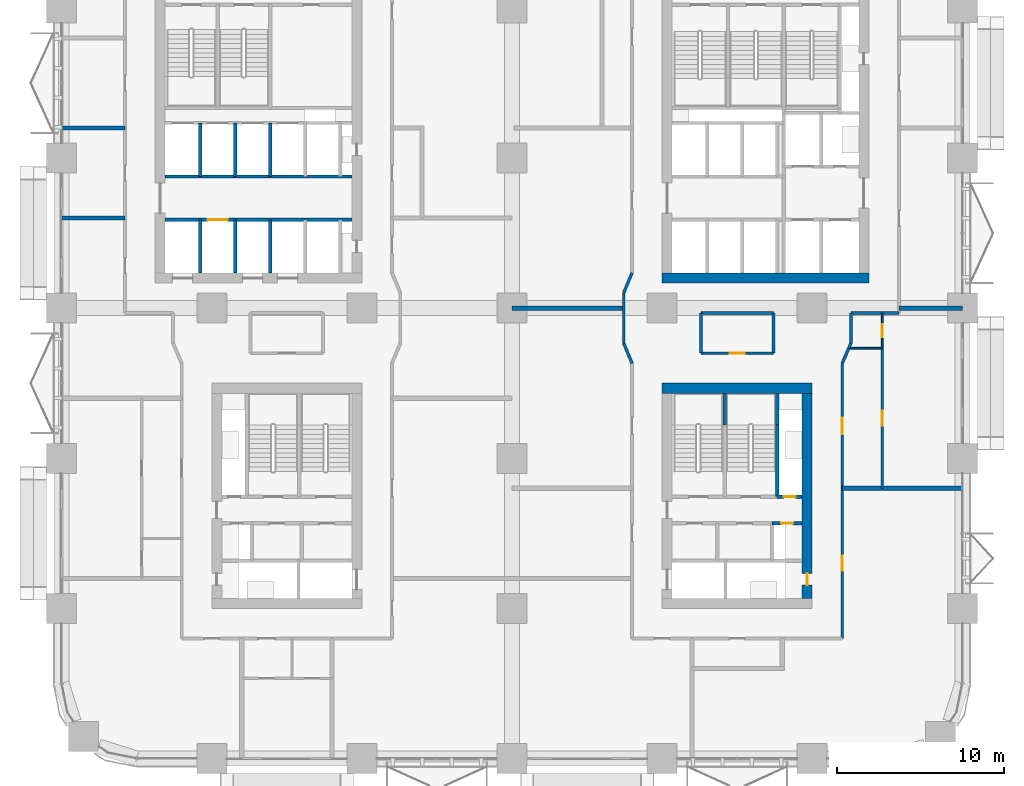
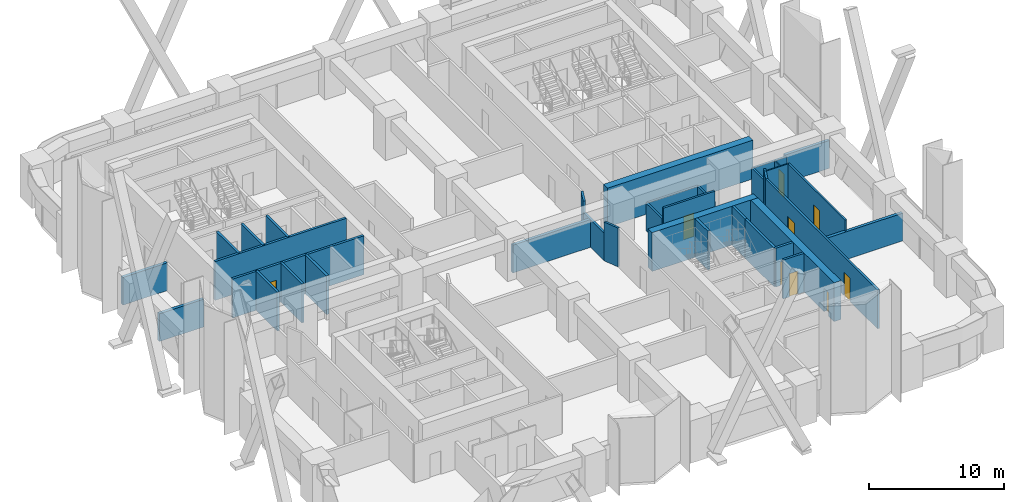
# One storey, part 19 of 26: 36 walls, 9 doors, 9 openings.
"""IFC4 building model written with IfcOpenShell, lengths in metres."""

from ifc_helpers import new_model, si_unit, direction, frame, frame_2d, origin, place, context, subcontext, project, spatial, rectangle, extrude, material, layer, layer_set, type_object, element, fill, save


model = new_model("IFC4")

# Units and contexts
model_context = context("Model", 3, precision=1e-05, world=origin(), true_north=direction((0.0, 1.0)))
body_context = subcontext(model_context, "Body", "Model", "MODEL_VIEW")
ifc_project = project(units=[si_unit("LENGTHUNIT", "METRE"), si_unit("AREAUNIT", "SQUARE_METRE"), si_unit("VOLUMEUNIT", "CUBIC_METRE"), si_unit("PLANEANGLEUNIT", "RADIAN"), si_unit("MASSUNIT", "GRAM", prefix="KILO")], contexts=[model_context])

# Site, building, storey
site_placement = place(None, origin())
site = spatial("IfcSite", under=ifc_project, at=site_placement, CompositionType="ELEMENT")
building_placement = place(site_placement, origin())
building = spatial("IfcBuilding", under=site, at=building_placement, Name="Tessera Arch", CompositionType="ELEMENT")
storey_placement = place(building_placement, frame((0.0, 0.0, 31.0)))
storey = spatial("IfcBuildingStorey", under=building, at=storey_placement, Name="L05", CompositionType="ELEMENT", Elevation=31.0)

# Walls
ifc_material_1 = material(Name="Concrete C70/85", Category="concrete")
ifc_layer_1 = layer(ifc_material_1, 0.60009765625)
ifc_layer_set_1 = layer_set([ifc_layer_1], Name="Core shell wall 600 C70-85")
wall_type_1 = type_object("IfcWallType", Name="Core shell wall 600 C70-85", PredefinedType="SHEAR", material=ifc_layer_set_1)
wall_1_placement = place(storey_placement, frame((36.0, 28.800048828125, 0.0), z_axis=(0.0, 0.0, 1.0), x_axis=(1.0, 0.0, 0.0)))
element("IfcWall", 1, at=wall_1_placement, inside=storey, type_object=wall_type_1, Name="L05 C1 core wall S", PredefinedType="SHEAR", context=body_context, shape_type="SweptSolid", body=[
    extrude(rectangle(XDim=12.39990234375, YDim=0.60009765625, at=frame_2d((6.199951171875, 0.0))), origin(), (0.0, 0.0, 1.0), 3.5),
])
wall_2_placement = place(storey_placement, frame((36.0, 22.199951171875, 0.0), z_axis=(0.0, 0.0, 1.0), x_axis=(1.0, 0.0, 0.0)))
element("IfcWall", 2, at=wall_2_placement, inside=storey, type_object=wall_type_1, Name="L05 C3 core wall N", PredefinedType="SHEAR", context=body_context, shape_type="SweptSolid", body=[
    extrude(rectangle(XDim=9.0, YDim=0.60009765625, at=frame_2d((4.5, 0.0))), origin(), (0.0, 0.0, 1.0), 3.5),
])

# Wall, opening, door
wall_3_placement = place(storey_placement, frame((44.699951171875, 9.60009765625, 0.0), z_axis=(0.0, 0.0, 1.0), x_axis=(0.0, 1.0, 0.0)))
wall_3 = element("IfcWall", 3, at=wall_3_placement, inside=storey, type_object=wall_type_1, Name="L05 C3 core wall E", PredefinedType="SHEAR", context=body_context, shape_type="SweptSolid", body=[
    extrude(rectangle(XDim=12.2998046875, YDim=0.60009765625, at=frame_2d((6.14990234375, 0.0))), origin(), (0.0, 0.0, 1.0), 3.5),
])
opening_1_placement = place(wall_3_placement, frame((0.800048828125, 0.0, 0.0)))
opening_1 = element("IfcOpeningElement", 4, at=opening_1_placement, cuts=wall_3, Name="Opening L05-C36", PredefinedType="OPENING", context=body_context, shape_type="SweptSolid", body=[
    extrude(rectangle(XDim=0.699951171875, YDim=2.10009765625, at=frame_2d((0.35009765625, 1.050048828125))), frame((0.0, 0.31005859375, 0.0), z_axis=(0.0, -1.0, 0.0), x_axis=(1.0, 0.0, 0.0)), (0.0, 0.0, 1.0), 0.6201171875),
])
ifc_material_2 = material(Name="Steel door leaf", Category="steel")
door_type_1 = type_object("IfcDoorType", Name="Service shaft door FD60 700 x 2100", OperationType="SINGLE_SWING_LEFT", PredefinedType="DOOR", material=ifc_material_2)
door_1_placement = place(opening_1_placement, origin())
door_1 = element("IfcDoor", 5, at=door_1_placement, inside=storey, type_object=door_type_1, Name="L05 C3 door 6 C36 type D07", OperationType="SINGLE_SWING_LEFT", OverallHeight=2.10009765625, OverallWidth=0.699951171875, PredefinedType="DOOR", context=body_context, shape_type="SweptSolid", body=[
    extrude(rectangle(XDim=0.699951171875, YDim=2.10009765625, at=frame_2d((0.35009765625, 1.050048828125))), frame((0.0, 0.02490234375, 0.0), z_axis=(0.0, -1.0, 0.0), x_axis=(1.0, 0.0, 0.0)), (0.0, 0.0, 1.0), 0.050048828125),
])
fill(opening_1, door_1)

ifc_material_3 = material(Name="Gypsum board on deep steel stud with mineral wool", Category="steel")
ifc_layer_2 = layer(ifc_material_3, 0.175048828125)
ifc_layer_set_2 = layer_set([ifc_layer_2], Name="Corridor wall 175 EI 60")
wall_type_2 = type_object("IfcWallType", Name="Corridor wall 175 EI 60", PredefinedType="PARTITIONING", material=ifc_layer_set_2)
wall_4_placement = place(storey_placement, frame((38.320068359375, 24.300048828125, 0.0), z_axis=(0.0, 0.0, 1.0), x_axis=(1.0, 0.0, 0.0)))
wall_4 = element("IfcWall", 6, at=wall_4_placement, inside=storey, type_object=wall_type_2, Name="L05 partition 4", PredefinedType="PARTITIONING", context=body_context, shape_type="SweptSolid", body=[
    extrude(rectangle(XDim=4.35986328125, YDim=0.175048828125, at=frame_2d((2.179931640625, 0.0))), origin(), (0.0, 0.0, 1.0), 3.5),
])
opening_2_placement = place(wall_4_placement, frame((1.72998046875, 0.0, 0.0)))
opening_2 = element("IfcOpeningElement", 7, at=opening_2_placement, cuts=wall_4, Name="Opening L05-D019", PredefinedType="OPENING", context=body_context, shape_type="SweptSolid", body=[
    extrude(rectangle(XDim=0.89990234375, YDim=2.10009765625, at=frame_2d((0.449951171875, 1.050048828125))), frame((0.0, 0.097412109375, 0.0), z_axis=(0.0, -1.0, 0.0), x_axis=(1.0, 0.0, 0.0)), (0.0, 0.0, 1.0), 0.195068359375),
])
ifc_material_4 = material(Name="Timber door leaf", Category="wood")
door_type_2 = type_object("IfcDoorType", Name="Room door 900 x 2100", OperationType="SINGLE_SWING_LEFT", PredefinedType="DOOR", material=ifc_material_4)
door_2_placement = place(opening_2_placement, origin())
door_2 = element("IfcDoor", 8, at=door_2_placement, inside=storey, type_object=door_type_2, Name="L05 door D019 type D01", OperationType="SINGLE_SWING_LEFT", OverallHeight=2.10009765625, OverallWidth=0.89990234375, PredefinedType="DOOR", context=body_context, shape_type="SweptSolid", body=[
    extrude(rectangle(XDim=0.89990234375, YDim=2.10009765625, at=frame_2d((0.449951171875, 1.050048828125))), frame((0.0, 0.02490234375, 0.0), z_axis=(0.0, -1.0, 0.0), x_axis=(1.0, 0.0, 0.0)), (0.0, 0.0, 1.0), 0.050048828125),
])
fill(opening_2, door_2)

# Walls
wall_5_placement = place(storey_placement, frame((38.320068359375, 26.699951171875, 0.0), z_axis=(0.0, 0.0, 1.0), x_axis=(1.0, 0.0, 0.0)))
element("IfcWall", 9, at=wall_5_placement, inside=storey, type_object=wall_type_2, Name="L05 partition 7", PredefinedType="PARTITIONING", context=body_context, shape_type="SweptSolid", body=[
    extrude(rectangle(XDim=4.35986328125, YDim=0.175048828125, at=frame_2d((2.179931640625, 0.0))), origin(), (0.0, 0.0, 1.0), 2.5),
])
wall_6_placement = place(storey_placement, frame((47.320068359375, 26.699951171875, 0.0), z_axis=(0.0, 0.0, 1.0), x_axis=(1.0, 0.0, 0.0)))
element("IfcWall", 10, at=wall_6_placement, inside=storey, type_object=wall_type_2, Name="L05 partition 8", PredefinedType="PARTITIONING", context=body_context, shape_type="SweptSolid", body=[
    extrude(rectangle(XDim=2.8798828125, YDim=0.175048828125, at=frame_2d((1.43994140625, 0.0))), origin(), (0.0, 0.0, 1.0), 2.5),
])
wall_7_placement = place(storey_placement, frame((33.699951171875, 24.889892578125, 0.0), z_axis=(0.0, 0.0, 1.0), x_axis=(0.0, 1.0, 0.0)))
element("IfcWall", 11, at=wall_7_placement, inside=storey, type_object=wall_type_2, Name="L05 partition 19", PredefinedType="PARTITIONING", context=body_context, shape_type="SweptSolid", body=[
    extrude(rectangle(XDim=3.030029296875, YDim=0.175048828125, at=frame_2d((1.51513671875, 0.0))), origin(), (0.0, 0.0, 1.0), 2.5),
])
for number, where, z_axis, x_axis, name in (
    (12, (38.320068359375, 24.300048828125, 0.0), (0.0, 0.0, 1.0), (0.0, 1.0, 0.0), "L05 partition 22"),
    (13, (42.679931640625, 24.300048828125, 0.0), (0.0, 0.0, 1.0), (0.0, 1.0, 0.0), "L05 partition 23"),
):
    element("IfcWall", number, at=place(storey_placement, frame(where, z_axis=z_axis, x_axis=x_axis)), inside=storey, type_object=wall_type_2, Name=name, PredefinedType="PARTITIONING", context=body_context, shape_type="SweptSolid", body=[
        extrude(rectangle(XDim=2.39990234375, YDim=0.175048828125, at=frame_2d((1.199951171875, 0.0))), origin(), (0.0, 0.0, 1.0), 2.5),
    ])

# Wall, openings, doors
wall_8_placement = place(storey_placement, frame((46.800048828125, 7.199951171875, 0.0), z_axis=(0.0, 0.0, 1.0), x_axis=(0.0, 1.0, 0.0)))
wall_8 = element("IfcWall", 14, at=wall_8_placement, inside=storey, type_object=wall_type_2, Name="L05 partition 24", PredefinedType="PARTITIONING", context=body_context, shape_type="SweptSolid", body=[
    extrude(rectangle(XDim=16.489990234375, YDim=0.175048828125, at=frame_2d((8.2451171875, 0.0))), origin(), (0.0, 0.0, 1.0), 3.5),
])
opening_3_placement = place(wall_8_placement, frame((4.050048828125, 0.0, 0.0)))
opening_3 = element("IfcOpeningElement", 15, at=opening_3_placement, cuts=wall_8, Name="Opening L05-D008", PredefinedType="OPENING", context=body_context, shape_type="SweptSolid", body=[
    extrude(rectangle(XDim=0.89990234375, YDim=2.10009765625, at=frame_2d((0.449951171875, 1.050048828125))), frame((0.0, 0.097412109375, 0.0), z_axis=(0.0, -1.0, 0.0), x_axis=(1.0, 0.0, 0.0)), (0.0, 0.0, 1.0), 0.195068359375),
])
opening_4_placement = place(wall_8_placement, frame((12.2451171875, 0.0, 0.0)))
opening_4 = element("IfcOpeningElement", 16, at=opening_4_placement, cuts=wall_8, Name="Opening L05-D015", PredefinedType="OPENING", context=body_context, shape_type="SweptSolid", body=[
    extrude(rectangle(XDim=1.0, YDim=2.10009765625, at=frame_2d((0.5, 1.050048828125))), frame((0.0, 0.097412109375, 0.0), z_axis=(0.0, -1.0, 0.0), x_axis=(1.0, 0.0, 0.0)), (0.0, 0.0, 1.0), 0.195068359375),
])
ifc_material_5 = material(Name="Fire-rated door leaf")
door_type_3 = type_object("IfcDoorType", Name="Entrance door FD30S 1000 x 2100", OperationType="SINGLE_SWING_LEFT", PredefinedType="DOOR", material=ifc_material_5)
door_3_placement = place(opening_4_placement, origin())
door_3 = element("IfcDoor", 17, at=door_3_placement, inside=storey, type_object=door_type_3, Name="L05 door D015 type D03", OperationType="SINGLE_SWING_RIGHT", OverallHeight=2.10009765625, OverallWidth=1.0, PredefinedType="DOOR", context=body_context, shape_type="SweptSolid", body=[
    extrude(rectangle(XDim=1.0, YDim=2.10009765625, at=frame_2d((0.5, 1.050048828125))), frame((0.0, 0.02490234375, 0.0), z_axis=(0.0, -1.0, 0.0), x_axis=(1.0, 0.0, 0.0)), (0.0, 0.0, 1.0), 0.050048828125),
])
fill(opening_4, door_3)
door_4_placement = place(opening_3_placement, origin())
door_4 = element("IfcDoor", 18, at=door_4_placement, inside=storey, type_object=door_type_2, Name="L05 door D008 type D01", OperationType="SINGLE_SWING_LEFT", OverallHeight=2.10009765625, OverallWidth=0.89990234375, PredefinedType="DOOR", context=body_context, shape_type="SweptSolid", body=[
    extrude(rectangle(XDim=0.89990234375, YDim=2.10009765625, at=frame_2d((0.449951171875, 1.050048828125))), frame((0.0, 0.02490234375, 0.0), z_axis=(0.0, -1.0, 0.0), x_axis=(1.0, 0.0, 0.0)), (0.0, 0.0, 1.0), 0.050048828125),
])
fill(opening_3, door_4)

# Walls
wall_9_placement = place(storey_placement, frame((47.320068359375, 24.889892578125, 0.0), z_axis=(0.0, 0.0, 1.0), x_axis=(0.0, 1.0, 0.0)))
element("IfcWall", 19, at=wall_9_placement, inside=storey, type_object=wall_type_2, Name="L05 partition 25", PredefinedType="PARTITIONING", context=body_context, shape_type="SweptSolid", body=[
    extrude(rectangle(XDim=1.81005859375, YDim=0.175048828125, at=frame_2d((0.905029296875, 0.0))), origin(), (0.0, 0.0, 1.0), 2.5),
])
wall_10_placement = place(storey_placement, frame((34.199951171875, 23.68994140625, 0.0), z_axis=(0.0, 0.0, 1.0), x_axis=(-0.384628719983, 0.923071366561, 0.0)))
element("IfcWall", 20, at=wall_10_placement, inside=storey, type_object=wall_type_2, Name="L05 partition 63", PredefinedType="PARTITIONING", context=body_context, shape_type="SweptSolid", body=[
    extrude(rectangle(XDim=1.300048828125, YDim=0.175048828125, at=frame_2d((0.64990234375, 0.0))), origin(), (0.0, 0.0, 1.0), 3.5),
])
wall_11_placement = place(storey_placement, frame((47.1943359375, 24.60009765625, 0.0), z_axis=(0.0, 0.0, 1.0), x_axis=(-0.397510730652, -0.917597525616, 0.0)))
element("IfcWall", 21, at=wall_11_placement, inside=storey, type_object=wall_type_2, Name="L05 partition 64", PredefinedType="PARTITIONING", context=body_context, shape_type="SweptSolid", body=[
    extrude(rectangle(XDim=0.991943359375, YDim=0.175048828125, at=frame_2d((0.49609375, 0.0))), origin(), (0.0, 0.0, 1.0), 3.5),
])
wall_12_placement = place(storey_placement, frame((47.320068359375, 24.889892578125, 0.0), z_axis=(0.0, 0.0, 1.0), x_axis=(-0.398019489606, -0.917376959539, 0.0)))
element("IfcWall", 22, at=wall_12_placement, inside=storey, type_object=wall_type_2, Name="L05 partition 65", PredefinedType="PARTITIONING", context=body_context, shape_type="SweptSolid", body=[
    extrude(rectangle(XDim=0.31591796875, YDim=0.175048828125, at=frame_2d((0.157958984375, 0.0))), origin(), (0.0, 0.0, 1.0), 3.5),
])
wall_13_placement = place(storey_placement, frame((33.699951171875, 27.919921875, 0.0), z_axis=(0.0, 0.0, 1.0), x_axis=(0.384562051588, 0.923099143363, 0.0)))
element("IfcWall", 23, at=wall_13_placement, inside=storey, type_object=wall_type_2, Name="L05 partition 66", PredefinedType="PARTITIONING", context=body_context, shape_type="SweptSolid", body=[
    extrude(rectangle(XDim=1.30029296875, YDim=0.175048828125, at=frame_2d((0.650146484375, 0.0))), origin(), (0.0, 0.0, 1.0), 3.5),
])

# Wall, opening, door
ifc_material_6 = material(Name="Gypsum board on steel stud", Category="steel")
ifc_layer_3 = layer(ifc_material_6, 0.14990234375)
ifc_layer_set_3 = layer_set([ifc_layer_3], Name="Partition 150")
wall_type_3 = type_object("IfcWallType", Name="Partition 150", PredefinedType="PARTITIONING", material=ifc_layer_set_3)
wall_14_placement = place(storey_placement, frame((49.199951171875, 16.199951171875, 0.0), z_axis=(0.0, 0.0, 1.0), x_axis=(0.0, 1.0, 0.0)))
wall_14 = element("IfcWall", 24, at=wall_14_placement, inside=storey, type_object=wall_type_3, Name="L05 partition 29", PredefinedType="PARTITIONING", context=body_context, shape_type="SweptSolid", body=[
    extrude(rectangle(XDim=8.400146484375, YDim=0.14990234375, at=frame_2d((4.2001953125, 0.0))), origin(), (0.0, 0.0, 1.0), 3.5),
])
opening_5_placement = place(wall_14_placement, frame((3.75, 0.0, 0.0)))
opening_5 = element("IfcOpeningElement", 25, at=opening_5_placement, cuts=wall_14, Name="Opening L05-D016", PredefinedType="OPENING", context=body_context, shape_type="SweptSolid", body=[
    extrude(rectangle(XDim=0.89990234375, YDim=2.10009765625, at=frame_2d((0.449951171875, 1.050048828125))), frame((0.0, 0.0849609375, 0.0), z_axis=(0.0, -1.0, 0.0), x_axis=(1.0, 0.0, 0.0)), (0.0, 0.0, 1.0), 0.169921875),
])
door_5_placement = place(opening_5_placement, origin())
door_5 = element("IfcDoor", 26, at=door_5_placement, inside=storey, type_object=door_type_2, Name="L05 door D016 type D01", OperationType="SINGLE_SWING_LEFT", OverallHeight=2.10009765625, OverallWidth=0.89990234375, PredefinedType="DOOR", context=body_context, shape_type="SweptSolid", body=[
    extrude(rectangle(XDim=0.89990234375, YDim=2.10009765625, at=frame_2d((0.449951171875, 1.050048828125))), frame((0.0, 0.02490234375, 0.0), z_axis=(0.0, -1.0, 0.0), x_axis=(1.0, 0.0, 0.0)), (0.0, 0.0, 1.0), 0.050048828125),
])
fill(opening_5, door_5)

# Walls
ifc_material_7 = material(Name="Double gypsum board on twin steel stud with acoustic mineral wool", Category="steel")
ifc_layer_4 = layer(ifc_material_7, 0.25)
ifc_layer_set_4 = layer_set([ifc_layer_4], Name="Party wall 250 EI 60")
wall_type_4 = type_object("IfcWallType", Name="Party wall 250 EI 60", PredefinedType="PARTITIONING", material=ifc_layer_set_4)
wall_15_placement = place(storey_placement, frame((46.800048828125, 16.199951171875, 0.0), z_axis=(0.0, 0.0, 1.0), x_axis=(1.0, 0.0, 0.0)))
element("IfcWall", 27, at=wall_15_placement, inside=storey, type_object=wall_type_4, Name="L05 partition 34", PredefinedType="PARTITIONING", context=body_context, shape_type="SweptSolid", body=[
    extrude(rectangle(XDim=7.199951171875, YDim=0.25, at=frame_2d((3.60009765625, 0.0))), origin(), (0.0, 0.0, 1.0), 2.5),
])
wall_16_placement = place(storey_placement, frame((27.0, 27.0, 0.0), z_axis=(0.0, 0.0, 1.0), x_axis=(1.0, 0.0, 0.0)))
element("IfcWall", 28, at=wall_16_placement, inside=storey, type_object=wall_type_4, Name="L05 partition 37", PredefinedType="PARTITIONING", context=body_context, shape_type="SweptSolid", body=[
    extrude(rectangle(XDim=6.699951171875, YDim=0.25, at=frame_2d((3.35009765625, 0.0))), origin(), (0.0, 0.0, 1.0), 2.5),
])
for number, where, z_axis, x_axis, name in (
    (29, (50.199951171875, 27.0, 0.0), (0.0, 0.0, 1.0), (1.0, 0.0, 0.0), "L05 partition 38"),
    (30, (0.0, 32.39990234375, 0.0), (0.0, 0.0, 1.0), (1.0, 0.0, 0.0), "L05 partition 39"),
    (31, (0.0, 37.800048828125, 0.0), (0.0, 0.0, 1.0), (1.0, 0.0, 0.0), "L05 partition 41"),
):
    element("IfcWall", number, at=place(storey_placement, frame(where, z_axis=z_axis, x_axis=x_axis)), inside=storey, type_object=wall_type_4, Name=name, PredefinedType="PARTITIONING", context=body_context, shape_type="SweptSolid", body=[
        extrude(rectangle(XDim=3.800048828125, YDim=0.25, at=frame_2d((1.89990234375, 0.0))), origin(), (0.0, 0.0, 1.0), 2.5),
    ])
ifc_material_8 = material(Name="Concrete C40/50", Category="concrete")
ifc_layer_5 = layer(ifc_material_8, 0.199951171875)
ifc_layer_set_5 = layer_set([ifc_layer_5], Name="Shaft wall 200 EI 120")
wall_type_5 = type_object("IfcWallType", Name="Shaft wall 200 EI 120", PredefinedType="SOLIDWALL", material=ifc_layer_set_5)
wall_17_placement = place(storey_placement, frame((8.300048828125, 29.10009765625, 0.0), z_axis=(0.0, 0.0, 1.0), x_axis=(0.0, 1.0, 0.0)))
element("IfcWall", 32, at=wall_17_placement, inside=storey, type_object=wall_type_5, Name="L05 C2 shaft wall 1", PredefinedType="SOLIDWALL", context=body_context, shape_type="SweptSolid", body=[
    extrude(rectangle(XDim=3.199951171875, YDim=0.199951171875, at=frame_2d((1.60009765625, 0.0))), origin(), (0.0, 0.0, 1.0), 3.5),
])
wall_18_placement = place(storey_placement, frame((8.300048828125, 34.89990234375, 0.0), z_axis=(0.0, 0.0, 1.0), x_axis=(0.0, 1.0, 0.0)))
element("IfcWall", 33, at=wall_18_placement, inside=storey, type_object=wall_type_5, Name="L05 C2 shaft wall 2", PredefinedType="SOLIDWALL", context=body_context, shape_type="SweptSolid", body=[
    extrude(rectangle(XDim=3.2001953125, YDim=0.199951171875, at=frame_2d((1.60009765625, 0.0))), origin(), (0.0, 0.0, 1.0), 3.5),
])
wall_19_placement = place(storey_placement, frame((10.39990234375, 29.10009765625, 0.0), z_axis=(0.0, 0.0, 1.0), x_axis=(0.0, 1.0, 0.0)))
element("IfcWall", 34, at=wall_19_placement, inside=storey, type_object=wall_type_5, Name="L05 C2 shaft wall 5", PredefinedType="SOLIDWALL", context=body_context, shape_type="SweptSolid", body=[
    extrude(rectangle(XDim=3.199951171875, YDim=0.199951171875, at=frame_2d((1.60009765625, 0.0))), origin(), (0.0, 0.0, 1.0), 3.5),
])
wall_20_placement = place(storey_placement, frame((10.39990234375, 34.89990234375, 0.0), z_axis=(0.0, 0.0, 1.0), x_axis=(0.0, 1.0, 0.0)))
element("IfcWall", 35, at=wall_20_placement, inside=storey, type_object=wall_type_5, Name="L05 C2 shaft wall 6", PredefinedType="SOLIDWALL", context=body_context, shape_type="SweptSolid", body=[
    extrude(rectangle(XDim=3.2001953125, YDim=0.199951171875, at=frame_2d((1.60009765625, 0.0))), origin(), (0.0, 0.0, 1.0), 3.5),
])
wall_21_placement = place(storey_placement, frame((12.5, 29.10009765625, 0.0), z_axis=(0.0, 0.0, 1.0), x_axis=(0.0, 1.0, 0.0)))
element("IfcWall", 36, at=wall_21_placement, inside=storey, type_object=wall_type_5, Name="L05 C2 shaft wall 8", PredefinedType="SOLIDWALL", context=body_context, shape_type="SweptSolid", body=[
    extrude(rectangle(XDim=3.199951171875, YDim=0.199951171875, at=frame_2d((1.60009765625, 0.0))), origin(), (0.0, 0.0, 1.0), 3.5),
])
wall_22_placement = place(storey_placement, frame((12.5, 34.89990234375, 0.0), z_axis=(0.0, 0.0, 1.0), x_axis=(0.0, 1.0, 0.0)))
element("IfcWall", 37, at=wall_22_placement, inside=storey, type_object=wall_type_5, Name="L05 C2 shaft wall 9", PredefinedType="SOLIDWALL", context=body_context, shape_type="SweptSolid", body=[
    extrude(rectangle(XDim=3.2001953125, YDim=0.199951171875, at=frame_2d((1.60009765625, 0.0))), origin(), (0.0, 0.0, 1.0), 3.5),
])

# Wall, opening, door
wall_23_placement = place(storey_placement, frame((6.199951171875, 32.300048828125, 0.0), z_axis=(0.0, 0.0, 1.0), x_axis=(1.0, 0.0, 0.0)))
wall_23 = element("IfcWall", 38, at=wall_23_placement, inside=storey, type_object=wall_type_5, Name="L05 C2 shaft wall 16", PredefinedType="SOLIDWALL", context=body_context, shape_type="SweptSolid", body=[
    extrude(rectangle(XDim=11.199951171875, YDim=0.199951171875, at=frame_2d((5.60009765625, 0.0))), origin(), (0.0, 0.0, 1.0), 3.5),
])
opening_6_placement = place(wall_23_placement, frame((2.550048828125, 0.0, 0.0)))
opening_6 = element("IfcOpeningElement", 39, at=opening_6_placement, cuts=wall_23, Name="Opening L05-C15", PredefinedType="OPENING", context=body_context, shape_type="SweptSolid", body=[
    extrude(rectangle(XDim=1.199951171875, YDim=2.10009765625, at=frame_2d((0.60009765625, 1.050048828125))), frame((0.0, 0.10986328125, 0.0), z_axis=(0.0, -1.0, 0.0), x_axis=(1.0, 0.0, 0.0)), (0.0, 0.0, 1.0), 0.219970703125),
])
ifc_material_9 = material(Name="Stainless steel AISI 304", Category="steel")
door_type_4 = type_object("IfcDoorType", Name="Sliding landing door 1200 x 2100", OperationType="SLIDING_TO_LEFT", PredefinedType="DOOR", material=ifc_material_9)
door_6_placement = place(opening_6_placement, origin())
door_6 = element("IfcDoor", 40, at=door_6_placement, inside=storey, type_object=door_type_4, Name="L05 LR2 lift landing door C15 type LD", OperationType="SLIDING_TO_LEFT", OverallHeight=2.10009765625, OverallWidth=1.199951171875, PredefinedType="DOOR", context=body_context, shape_type="SweptSolid", body=[
    extrude(rectangle(XDim=1.199951171875, YDim=2.10009765625, at=frame_2d((0.60009765625, 1.050048828125))), frame((0.0, 0.02490234375, 0.0), z_axis=(0.0, -1.0, 0.0), x_axis=(1.0, 0.0, 0.0)), (0.0, 0.0, 1.0), 0.050048828125),
])
fill(opening_6, door_6)

# Wall
wall_24_placement = place(storey_placement, frame((6.199951171875, 34.89990234375, 0.0), z_axis=(0.0, 0.0, 1.0), x_axis=(1.0, 0.0, 0.0)))
element("IfcWall", 41, at=wall_24_placement, inside=storey, type_object=wall_type_5, Name="L05 C2 shaft wall 17", PredefinedType="SOLIDWALL", context=body_context, shape_type="SweptSolid", body=[
    extrude(rectangle(XDim=11.199951171875, YDim=0.199951171875, at=frame_2d((5.60009765625, 0.0))), origin(), (0.0, 0.0, 1.0), 3.5),
])

# Wall, opening, door
wall_25_placement = place(storey_placement, frame((42.60009765625, 14.10009765625, 0.0), z_axis=(0.0, 0.0, 1.0), x_axis=(1.0, 0.0, 0.0)))
wall_25 = element("IfcWall", 42, at=wall_25_placement, inside=storey, type_object=wall_type_5, Name="L05 C3 shaft wall 10", PredefinedType="SOLIDWALL", context=body_context, shape_type="SweptSolid", body=[
    extrude(rectangle(XDim=1.7998046875, YDim=0.199951171875, at=frame_2d((0.89990234375, 0.0))), origin(), (0.0, 0.0, 1.0), 3.5),
])
opening_7_placement = place(wall_25_placement, frame((0.550048828125, 0.0, 0.0)))
opening_7 = element("IfcOpeningElement", 43, at=opening_7_placement, cuts=wall_25, Name="Opening L05-C35", PredefinedType="OPENING", context=body_context, shape_type="SweptSolid", body=[
    extrude(rectangle(XDim=0.699951171875, YDim=2.10009765625, at=frame_2d((0.35009765625, 1.050048828125))), frame((0.0, 0.10986328125, 0.0), z_axis=(0.0, -1.0, 0.0), x_axis=(1.0, 0.0, 0.0)), (0.0, 0.0, 1.0), 0.219970703125),
])
door_7_placement = place(opening_7_placement, origin())
door_7 = element("IfcDoor", 44, at=door_7_placement, inside=storey, type_object=door_type_1, Name="L05 C3 door 5 C35 type D07", OperationType="SINGLE_SWING_RIGHT", OverallHeight=2.10009765625, OverallWidth=0.699951171875, PredefinedType="DOOR", context=body_context, shape_type="SweptSolid", body=[
    extrude(rectangle(XDim=0.699951171875, YDim=2.10009765625, at=frame_2d((0.35009765625, 1.050048828125))), frame((0.0, 0.02490234375, 0.0), z_axis=(0.0, -1.0, 0.0), x_axis=(1.0, 0.0, 0.0)), (0.0, 0.0, 1.0), 0.050048828125),
])
fill(opening_7, door_7)

wall_26_placement = place(storey_placement, frame((42.89990234375, 15.699951171875, 0.0), z_axis=(0.0, 0.0, 1.0), x_axis=(1.0, 0.0, 0.0)))
wall_26 = element("IfcWall", 45, at=wall_26_placement, inside=storey, type_object=wall_type_5, Name="L05 C3 shaft wall 11", PredefinedType="SOLIDWALL", context=body_context, shape_type="SweptSolid", body=[
    extrude(rectangle(XDim=1.5, YDim=0.199951171875, at=frame_2d((0.75, 0.0))), origin(), (0.0, 0.0, 1.0), 3.5),
])
opening_8_placement = place(wall_26_placement, frame((0.39990234375, 0.0, 0.0)))
opening_8 = element("IfcOpeningElement", 46, at=opening_8_placement, cuts=wall_26, Name="Opening L05-C34", PredefinedType="OPENING", context=body_context, shape_type="SweptSolid", body=[
    extrude(rectangle(XDim=0.699951171875, YDim=2.10009765625, at=frame_2d((0.35009765625, 1.050048828125))), frame((0.0, 0.10986328125, 0.0), z_axis=(0.0, -1.0, 0.0), x_axis=(1.0, 0.0, 0.0)), (0.0, 0.0, 1.0), 0.219970703125),
])
door_8_placement = place(opening_8_placement, origin())
door_8 = element("IfcDoor", 47, at=door_8_placement, inside=storey, type_object=door_type_1, Name="L05 C3 door 4 C34 type D07", OperationType="SINGLE_SWING_LEFT", OverallHeight=2.10009765625, OverallWidth=0.699951171875, PredefinedType="DOOR", context=body_context, shape_type="SweptSolid", body=[
    extrude(rectangle(XDim=0.699951171875, YDim=2.10009765625, at=frame_2d((0.35009765625, 1.050048828125))), frame((0.0, 0.02490234375, 0.0), z_axis=(0.0, -1.0, 0.0), x_axis=(1.0, 0.0, 0.0)), (0.0, 0.0, 1.0), 0.050048828125),
])
fill(opening_8, door_8)

# Walls
ifc_material_10 = material(Name="Concrete C40/50", Category="concrete")
ifc_layer_6 = layer(ifc_material_10, 0.199951171875)
ifc_layer_set_6 = layer_set([ifc_layer_6], Name="Stair well wall 200 REI 180")
wall_type_6 = type_object("IfcWallType", Name="Stair well wall 200 REI 180", PredefinedType="SOLIDWALL", material=ifc_layer_set_6)
wall_27_placement = place(storey_placement, frame((39.75, 20.0, 0.0), z_axis=(0.0, 0.0, 1.0), x_axis=(0.0, 1.0, 0.0)))
element("IfcWall", 48, at=wall_27_placement, inside=storey, type_object=wall_type_6, Name="L05 C3 shaft wall 3", PredefinedType="SOLIDWALL", context=body_context, shape_type="SweptSolid", body=[
    extrude(rectangle(XDim=1.89990234375, YDim=0.199951171875, at=frame_2d((0.949951171875, 0.0))), origin(), (0.0, 0.0, 1.0), 3.5),
])
wall_28_placement = place(storey_placement, frame((42.89990234375, 15.699951171875, 0.0), z_axis=(0.0, 0.0, 1.0), x_axis=(0.0, 1.0, 0.0)))
element("IfcWall", 49, at=wall_28_placement, inside=storey, type_object=wall_type_6, Name="L05 C3 shaft wall 6", PredefinedType="SOLIDWALL", context=body_context, shape_type="SweptSolid", body=[
    extrude(rectangle(XDim=4.300048828125, YDim=0.199951171875, at=frame_2d((2.14990234375, 0.0))), origin(), (0.0, 0.0, 1.0), 3.5),
])
wall_29_placement = place(storey_placement, frame((42.89990234375, 20.0, 0.0), z_axis=(0.0, 0.0, 1.0), x_axis=(0.0, 1.0, 0.0)))
element("IfcWall", 50, at=wall_29_placement, inside=storey, type_object=wall_type_6, Name="L05 C3 shaft wall 7", PredefinedType="SOLIDWALL", context=body_context, shape_type="SweptSolid", body=[
    extrude(rectangle(XDim=1.89990234375, YDim=0.199951171875, at=frame_2d((0.949951171875, 0.0))), origin(), (0.0, 0.0, 1.0), 3.5),
])
ifc_material_11 = material(Name="Moisture-resistant board on pre-plumbed steel stud", Category="steel")
ifc_layer_7 = layer(ifc_material_11, 0.10009765625)
ifc_layer_set_7 = layer_set([ifc_layer_7], Name="Wet wall 100")
wall_type_7 = type_object("IfcWallType", Name="Wet wall 100", PredefinedType="PARTITIONING", material=ifc_layer_set_7)
wall_30_placement = place(storey_placement, frame((47.1943359375, 24.60009765625, 0.0), z_axis=(0.0, 0.0, 1.0), x_axis=(1.0, 0.0, 0.0)))
element("IfcWall", 51, at=wall_30_placement, inside=storey, type_object=wall_type_7, Name="L05 partition 59", PredefinedType="PARTITIONING", context=body_context, shape_type="SweptSolid", body=[
    extrude(rectangle(XDim=2.005615234375, YDim=0.10009765625, at=frame_2d((1.0029296875, 0.0))), origin(), (0.0, 0.0, 1.0), 3.5),
])

# Wall, opening, door
wall_31_placement = place(storey_placement, frame((49.199951171875, 24.60009765625, 0.0), z_axis=(0.0, 0.0, 1.0), x_axis=(0.0, 1.0, 0.0)))
wall_31 = element("IfcWall", 52, at=wall_31_placement, inside=storey, type_object=wall_type_7, Name="L05 partition 62", PredefinedType="PARTITIONING", context=body_context, shape_type="SweptSolid", body=[
    extrude(rectangle(XDim=2.099853515625, YDim=0.10009765625, at=frame_2d((1.0498046875, 0.0))), origin(), (0.0, 0.0, 1.0), 2.5),
])
opening_9_placement = place(wall_31_placement, frame((0.64990234375, 0.0, 0.0)))
opening_9 = element("IfcOpeningElement", 53, at=opening_9_placement, cuts=wall_31, Name="Opening L05-D017", PredefinedType="OPENING", context=body_context, shape_type="SweptSolid", body=[
    extrude(rectangle(XDim=0.800048828125, YDim=2.10009765625, at=frame_2d((0.39990234375, 1.050048828125))), frame((0.0, 0.06005859375, 0.0), z_axis=(0.0, -1.0, 0.0), x_axis=(1.0, 0.0, 0.0)), (0.0, 0.0, 1.0), 0.1201171875),
])
ifc_material_12 = material(Name="Timber door leaf", Category="wood")
door_type_5 = type_object("IfcDoorType", Name="En-suite door 800 x 2100", OperationType="SINGLE_SWING_LEFT", PredefinedType="DOOR", material=ifc_material_12)
door_9_placement = place(opening_9_placement, origin())
door_9 = element("IfcDoor", 54, at=door_9_placement, inside=storey, type_object=door_type_5, Name="L05 door D017 type D02", OperationType="SINGLE_SWING_RIGHT", OverallHeight=2.10009765625, OverallWidth=0.800048828125, PredefinedType="DOOR", context=body_context, shape_type="SweptSolid", body=[
    extrude(rectangle(XDim=0.800048828125, YDim=2.10009765625, at=frame_2d((0.39990234375, 1.050048828125))), frame((0.0, 0.02490234375, 0.0), z_axis=(0.0, -1.0, 0.0), x_axis=(1.0, 0.0, 0.0)), (0.0, 0.0, 1.0), 0.050048828125),
])
fill(opening_9, door_9)

save(model, "model.ifc")
